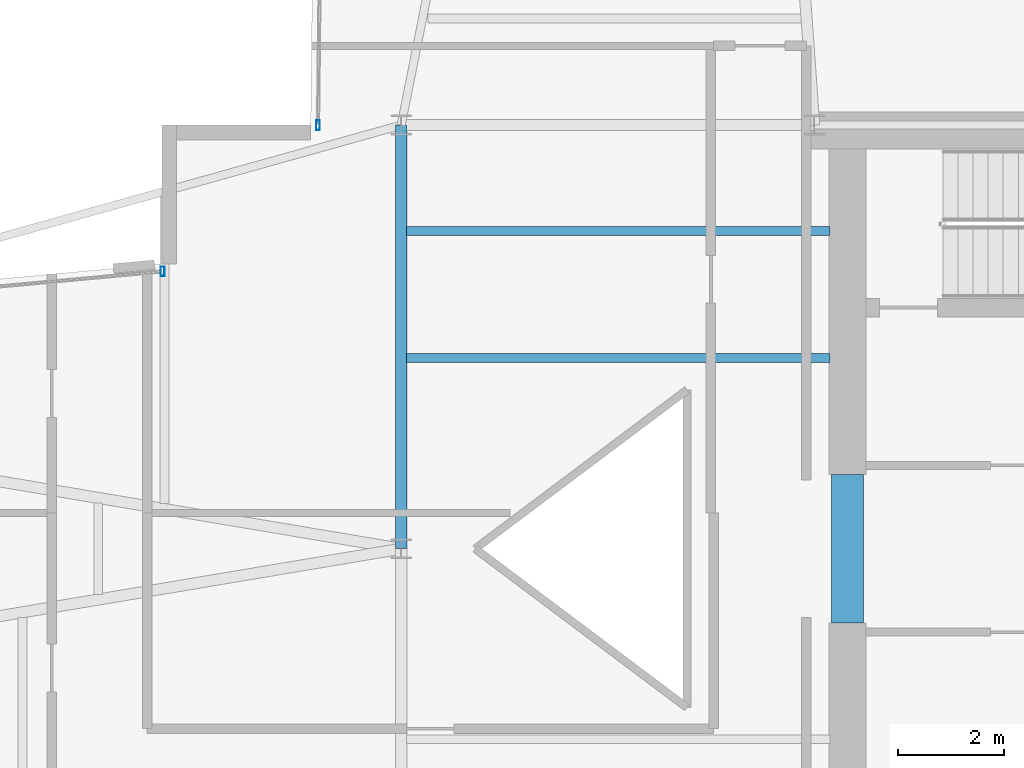
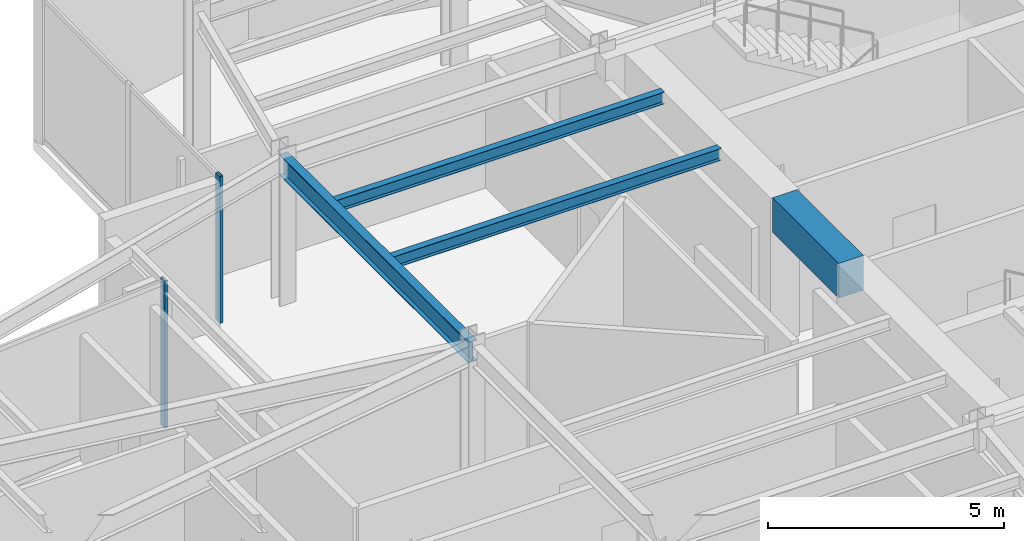
# One storey, part 11 of 22: 4 beams, 2 members, 2 elements without a shape of their own.
"""IFC4 building model written with IfcOpenShell, lengths in metres."""

from ifc_helpers import new_model, si_unit, direction, frame, origin, origin_2d, place, context, subcontext, project, spatial, rectangle, hollow_rectangle, i_section, extrude, material, layer, layer_set, material_profile, profile_set, type_object, element, aggregate, save


model = new_model("IFC4")

# Units and contexts
model_context = context("Model", 3, precision=1e-05, world=origin(), true_north=direction((0.0, 1.0)))
body_context = subcontext(model_context, "Body", "Model", "MODEL_VIEW")
ifc_project = project(units=[si_unit("LENGTHUNIT", "METRE"), si_unit("AREAUNIT", "SQUARE_METRE"), si_unit("VOLUMEUNIT", "CUBIC_METRE"), si_unit("PLANEANGLEUNIT", "RADIAN"), si_unit("MASSUNIT", "GRAM", prefix="KILO")], contexts=[model_context])

# Site, building, storey
site_placement = place(None, origin())
site = spatial("IfcSite", under=ifc_project, at=site_placement, CompositionType="ELEMENT")
building_placement = place(site_placement, origin())
building = spatial("IfcBuilding", under=site, at=building_placement, Name="Veymaron Broadcast Tower", CompositionType="ELEMENT")
storey_placement = place(building_placement, frame((0.0, 0.0, 208.050048828125)))
storey = spatial("IfcBuildingStorey", under=building, at=storey_placement, Name="L48", CompositionType="ELEMENT", Elevation=208.050048828125)

# Beams
ifc_material_1 = material(Name="Concrete C60/75", Category="concrete")
ifc_material_profile_1 = material_profile(ifc_material_1, rectangle(XDim=0.60009765625, YDim=0.89990234375, at=origin_2d()), Name="RC600X900")
ifc_profile_set_1 = profile_set([ifc_material_profile_1], Name="Concrete C60/75")
beam_type_1 = type_object("IfcBeamType", Name="BM-CB2", PredefinedType="LINTEL", material=ifc_profile_set_1)
beam_1_placement = place(storey_placement, frame((39.6298828125, 22.60009765625, 3.33984375), z_axis=(0.0, 1.0, 0.0), x_axis=(-1.0, 0.0, 0.0)))
element("IfcBeam", 1, at=beam_1_placement, inside=storey, type_object=beam_type_1, Name="L48 Core Wall west coupling beam", PredefinedType="LINTEL", context=body_context, shape_type="SweptSolid", body=[
    extrude(rectangle(XDim=0.60009765625, YDim=0.89990234375, at=origin_2d()), origin(), (0.0, 0.0, 1.0), 2.7998046875),
])
ifc_material_2 = material(Name="Structural steel ASTM A992 Gr 50", Category="steel")
ifc_material_profile_2 = material_profile(ifc_material_2, i_section(OverallWidth=0.2099609375, OverallDepth=0.537109375, WebThickness=0.010986328125, FlangeThickness=0.017333984375, at=origin_2d()), Name="W530X101")
ifc_profile_set_2 = profile_set([ifc_material_profile_2], Name="Structural steel ASTM A992 Gr 50")
beam_type_2 = type_object("IfcBeamType", Name="BM-FG3", PredefinedType="BEAM", material=ifc_profile_set_2)
beam_2_placement = place(storey_placement, frame((31.199951171875, 24.0, 3.521484375), z_axis=(0.0, 1.0, 0.0), x_axis=(-1.0, 0.0, 0.0)))
element("IfcBeam", 2, at=beam_2_placement, inside=storey, type_object=beam_type_2, Name="L48 primary structural floor girder", PredefinedType="BEAM", context=body_context, shape_type="SweptSolid", body=[
    extrude(i_section(OverallWidth=0.2099609375, OverallDepth=0.537109375, WebThickness=0.010986328125, FlangeThickness=0.017333984375, at=origin_2d()), origin(), (0.0, 0.0, 1.0), 8.0),
])
ifc_material_profile_3 = material_profile(ifc_material_2, i_section(OverallWidth=0.1650390625, OverallDepth=0.31005859375, WebThickness=0.005859375, FlangeThickness=0.009765625, at=origin_2d()), Name="W310X39")
ifc_profile_set_3 = profile_set([ifc_material_profile_3], Name="Structural steel ASTM A992 Gr 50")
beam_type_3 = type_object("IfcBeamType", Name="BM-JS3", PredefinedType="JOIST", material=ifc_profile_set_3)
for number, where, z_axis, x_axis, name in (
    (3, (31.300048828125, 27.60009765625, 3.635009765625), (1.0, 0.0, 0.0), (0.0, 1.0, 0.0), "L48 Hub secondary joist 3"),
    (4, (31.300048828125, 30.0, 3.635009765625), (1.0, 0.0, 0.0), (0.0, 1.0, 0.0), "L48 Hub secondary joist 4"),
):
    element("IfcBeam", number, at=place(storey_placement, frame(where, z_axis=z_axis, x_axis=x_axis)), inside=storey, type_object=beam_type_3, Name=name, PredefinedType="JOIST", context=body_context, shape_type="SweptSolid", body=[
        extrude(i_section(OverallWidth=0.1650390625, OverallDepth=0.31005859375, WebThickness=0.005859375, FlangeThickness=0.009765625, at=origin_2d()), origin(), (0.0, 0.0, 1.0), 8.0),
    ])

# Curtain wall, member
ifc_material_3 = material(Name="Anodised aluminium AA 6063-T6 and laminated low-E dark glass", Category="aluminium")
ifc_layer = layer(ifc_material_3, 0.179931640625)
ifc_layer_set = layer_set([ifc_layer], Name="Anodised aluminium AA 6063-T6 and laminated low-E dark glass")
curtain_wall_type = type_object("IfcCurtainWallType", Name="CW-SYS-05", PredefinedType="NOTDEFINED", material=ifc_layer_set)
curtain_wall_1_placement = place(storey_placement, origin())
curtain_wall_1 = element("IfcCurtainWall", 5, at=curtain_wall_1_placement, inside=storey, type_object=curtain_wall_type, Name="L48 dark-glass curtain wall CW-L48-E8-1", PredefinedType="NOTDEFINED")
ifc_material_4 = material(Name="Anodised aluminium AA 6063-T6", Category="aluminium")
ifc_material_profile_4 = material_profile(ifc_material_4, hollow_rectangle(XDim=0.074951171875, YDim=0.179931640625, WallThickness=0.0048828125, at=origin_2d()), Name="AL180X75X5")
ifc_profile_set_4 = profile_set([ifc_material_profile_4], Name="Anodised aluminium AA 6063-T6")
member_type = type_object("IfcMemberType", Name="CW-MUL-02", PredefinedType="MULLION", material=ifc_profile_set_4)
member_1_placement = place(storey_placement, frame((29.62890625, 31.998291015625, 0.0), z_axis=(0.0, 0.0, 1.0), x_axis=(1.0, 0.0, 0.0)))
member_1 = element("IfcMember", 6, at=member_1_placement, type_object=member_type, Name="CW-L48-E8-1 mullion 2", PredefinedType="MULLION", context=body_context, shape_type="SweptSolid", body=[
    extrude(hollow_rectangle(XDim=0.074951171875, YDim=0.179931640625, WallThickness=0.0048828125, at=origin_2d()), origin(), (0.0, 0.0, 1.0), 3.7900390625),
])
aggregate(curtain_wall_1, [member_1])

curtain_wall_2_placement = place(storey_placement, origin())
curtain_wall_2 = element("IfcCurtainWall", 7, at=curtain_wall_2_placement, inside=storey, type_object=curtain_wall_type, Name="L48 dark-glass curtain wall CW-L48-E11-1", PredefinedType="NOTDEFINED")
member_2_placement = place(storey_placement, frame((26.69287109375, 29.23828125, 0.0), z_axis=(0.0, 0.0, 1.0), x_axis=(1.0, 0.0, 0.0)))
member_2 = element("IfcMember", 8, at=member_2_placement, type_object=member_type, Name="CW-L48-E11-1 mullion 0", PredefinedType="MULLION", context=body_context, shape_type="SweptSolid", body=[
    extrude(hollow_rectangle(XDim=0.074951171875, YDim=0.179931640625, WallThickness=0.0048828125, at=origin_2d()), origin(), (0.0, 0.0, 1.0), 3.7900390625),
])
aggregate(curtain_wall_2, [member_2])

save(model, "model.ifc")
